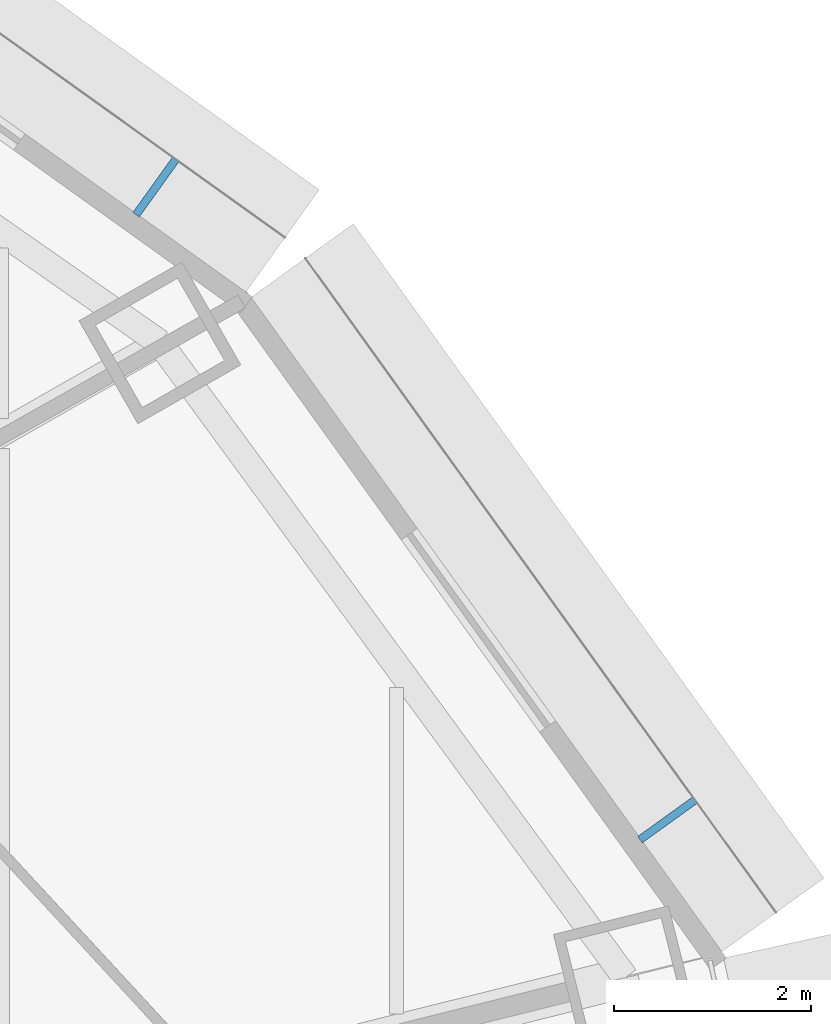
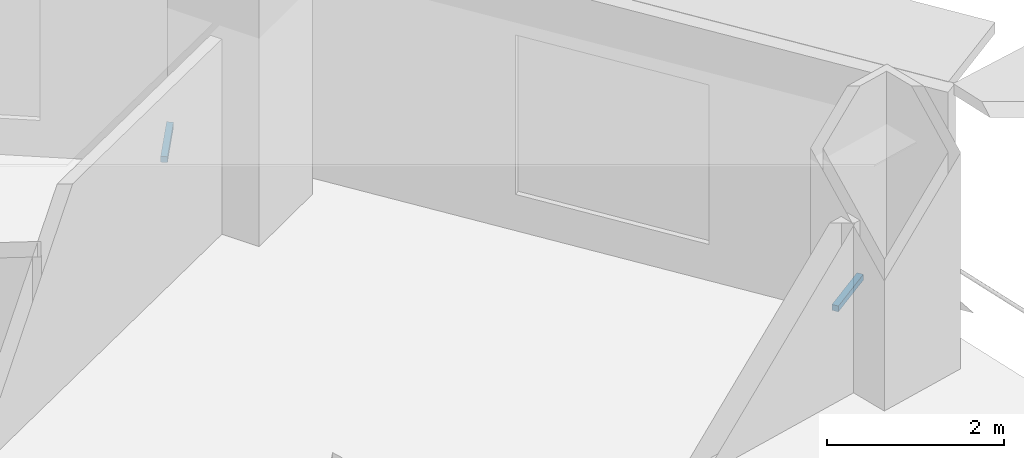
# One storey, part 13 of 17: 2 discrete accessories.
"""IFC4 building model written with IfcOpenShell, lengths in metres."""

import ifcopenshell
import ifcopenshell.guid

model = None  # the IFC model being written
_history = None  # IfcOwnerHistory: only IFC2X3 demands one
_inside = {}  # id of a spatial element -> (the spatial element, [elements in it])
_under = {}  # id of a project, library or spatial element -> (it, [spatial elements below it])
_declared = {}  # id of a project -> (the project, [libraries it declares])
_typed = {}  # id of a type object -> (the type object, [elements of that type])
_made_of = {}  # id of a material, layer set ... -> (it, [elements and type objects made of it])


def new_model(schema):
    """Start an empty IFC model of exactly this schema.

    Asked for "IFC4X3", IfcOpenShell would pick the latest addendum, in which some entities
    have other attributes; the version numbers below select the first issue.
    IFC2X3 requires an IfcOwnerHistory on every rooted entity: one is made here for all.
    """
    global model, _history
    if schema == "IFC4X3":
        model = ifcopenshell.file(schema_version=(4, 3, 0, 0))
    else:
        model = ifcopenshell.file(schema=schema)
    _inside.clear()
    _under.clear()
    _declared.clear()
    _typed.clear()
    _made_of.clear()
    _history = None
    if model.schema == "IFC2X3":
        org = make("IfcOrganization", Name="unknown")
        user = make(
            "IfcPersonAndOrganization",
            ThePerson=make("IfcPerson", FamilyName="unknown"),
            TheOrganization=org,
        )
        app = make(
            "IfcApplication",
            ApplicationDeveloper=org,
            Version="unknown",
            ApplicationFullName="unknown",
            ApplicationIdentifier="unknown",
        )
        _history = make(
            "IfcOwnerHistory",
            OwningUser=user,
            OwningApplication=app,
            ChangeAction="ADDED",
            CreationDate=0,
        )
    return model


def make(cls, **values):
    """One entity of the class cls with the attributes given. An attribute that is None is left unset."""
    return model.create_entity(
        cls, **{name: value for name, value in values.items() if value is not None}
    )


def rooted(cls, **values):
    """An entity with a GlobalId (a new one), such as an element, a storey or a relation."""
    return make(cls, GlobalId=ifcopenshell.guid.new(), OwnerHistory=_history, **values)


def si_unit(unit_type, name, prefix=None):
    """IfcSIUnit, for example si_unit("LENGTHUNIT", "METRE", prefix="MILLI")."""
    return make("IfcSIUnit", UnitType=unit_type, Prefix=prefix, Name=name)


def assignment(units):
    """IfcUnitAssignment: the units of a project."""
    return None if units is None else make("IfcUnitAssignment", Units=units)


def point(xyz):
    """IfcCartesianPoint."""
    return None if xyz is None else make("IfcCartesianPoint", Coordinates=xyz)


def direction(xyz):
    """IfcDirection."""
    return None if xyz is None else make("IfcDirection", DirectionRatios=xyz)


def frame(location, z_axis=None, x_axis=None):
    """IfcAxis2Placement3D, a coordinate frame: its origin and axes. An axis left out is left unset."""
    return make(
        "IfcAxis2Placement3D",
        Location=point(location),
        Axis=direction(z_axis),
        RefDirection=direction(x_axis),
    )


def frame_2d(location, x_axis=None):
    """IfcAxis2Placement2D, a coordinate frame in the plane: its origin and x axis."""
    return make(
        "IfcAxis2Placement2D", Location=point(location), RefDirection=direction(x_axis)
    )


def origin():
    """The frame at (0, 0, 0) with its axes left unset."""
    return frame((0.0, 0.0, 0.0))


def origin_2d():
    """The frame at (0, 0) in the plane with its x axis left unset."""
    return frame_2d((0.0, 0.0))


def place(relative_to, where):
    """IfcLocalPlacement: puts the frame where relative to a parent placement (None: the world)."""
    return make(
        "IfcLocalPlacement", PlacementRelTo=relative_to, RelativePlacement=where
    )


def context(
    kind, dimensions, precision=None, world=None, true_north=None, identifier=None
):
    """IfcGeometricRepresentationContext, for example the 3D "Model" context."""
    return make(
        "IfcGeometricRepresentationContext",
        ContextIdentifier=identifier,
        ContextType=kind,
        CoordinateSpaceDimension=dimensions,
        Precision=precision,
        WorldCoordinateSystem=world,
        TrueNorth=true_north,
    )


def subcontext(parent, identifier, kind, view, scale=None):
    """IfcGeometricRepresentationSubContext, for example "Body" below "Model"."""
    return make(
        "IfcGeometricRepresentationSubContext",
        ContextIdentifier=identifier,
        ContextType=kind,
        ParentContext=parent,
        TargetScale=scale,
        TargetView=view,
    )


def project(units=None, contexts=None):
    """IfcProject with its units and contexts."""
    return rooted(
        "IfcProject",
        Name="project",
        RepresentationContexts=contexts,
        UnitsInContext=assignment(units),
    )


def spatial(cls, under=None, at=None, **own):
    """A site, building, storey or space (cls), placed at a placement, below another one or the project."""
    s = rooted(cls, ObjectPlacement=at, **own)
    if under is not None:
        _under.setdefault(under.id(), (under, []))[1].append(s)
    return s


def profile(cls, at=None, kind="AREA", **sizes):
    """A parametric profile (cls). Its sizes go by their IFC names, for example OverallWidth=200.0."""
    return make(cls, ProfileType=kind, Position=at, **sizes)


def rectangle(**sizes):
    """IfcRectangleProfileDef."""
    return profile("IfcRectangleProfileDef", **sizes)


def extrude(swept, where, along, depth):
    """IfcExtrudedAreaSolid: the profile swept, set in the frame where, extruded along a direction by depth."""
    return make(
        "IfcExtrudedAreaSolid",
        SweptArea=swept,
        Position=where,
        ExtrudedDirection=direction(along),
        Depth=depth,
    )


def shape(context_of_items, identifier, shape_type, items):
    """IfcShapeRepresentation: the items that make up one representation, for example the "Body"."""
    return make(
        "IfcShapeRepresentation",
        ContextOfItems=context_of_items,
        RepresentationIdentifier=identifier,
        RepresentationType=shape_type,
        Items=items,
    )


def made_of(thing, what):
    """Note that an element or type object is made of a material, layer set ...; save() writes the relation."""
    if what is not None:
        _made_of.setdefault(what.id(), (what, []))[1].append(thing)
    return thing


def element(
    cls,
    number,
    at=None,
    inside=None,
    cuts=None,
    type_object=None,
    material=None,
    context=None,
    identifier="Body",
    shape_type=None,
    held_by="IfcProductDefinitionShape",
    body=None,
    shapes=None,
    **own,
):
    """One element of the class cls, such as IfcWall. Its Tag is "e" and its number.

    at: its placement. inside: the storey or other place that contains it. cuts: it is an
    opening in that element (IfcRelVoidsElement). A single representation is given by context,
    identifier, shape_type and body (its items); several are given by shapes. held_by: the class
    of the entity that holds the representations. save() writes the other relations.
    """
    e = rooted(cls, Tag="e%d" % number, ObjectPlacement=at, **own)
    if body is not None:
        shapes = [shape(context, identifier, shape_type, body)]
    if shapes is not None:
        e.Representation = make(held_by, Representations=shapes)
    if inside is not None:
        _inside.setdefault(inside.id(), (inside, []))[1].append(e)
    if cuts is not None:
        rooted(
            "IfcRelVoidsElement", RelatingBuildingElement=cuts, RelatedOpeningElement=e
        )
    if type_object is not None:
        _typed.setdefault(type_object.id(), (type_object, []))[1].append(e)
    return made_of(e, material)


def aggregate(whole, parts):
    """IfcRelAggregates: a whole, such as a stair, and the parts it consists of."""
    return rooted("IfcRelAggregates", RelatingObject=whole, RelatedObjects=parts)


def save(model, path):
    """Write the relations noted so far, then the file.

    IfcRelAggregates (storeys below a building ...), IfcRelContainedInSpatialStructure (elements
    in a storey), IfcRelDefinesByType, IfcRelAssociatesMaterial and IfcRelDeclares: one each for
    every whole, place, type object, material and project.
    """
    for whole, parts in _under.values():
        aggregate(whole, parts)
    for where, things in _inside.values():
        rooted(
            "IfcRelContainedInSpatialStructure",
            RelatedElements=things,
            RelatingStructure=where,
        )
    for kind, things in _typed.values():
        rooted("IfcRelDefinesByType", RelatedObjects=things, RelatingType=kind)
    for what, things in _made_of.values():
        rooted("IfcRelAssociatesMaterial", RelatedObjects=things, RelatingMaterial=what)
    for by, libraries in _declared.values():
        rooted("IfcRelDeclares", RelatingContext=by, RelatedDefinitions=libraries)
    model.write(path)


model = new_model("IFC4")

# Units and contexts
model_context = context("Model", 3, precision=1e-05, world=origin(), true_north=direction((0.0, 1.0)))
body_context = subcontext(model_context, "Body", "Model", "MODEL_VIEW")
ifc_project = project(units=[si_unit("LENGTHUNIT", "METRE"), si_unit("AREAUNIT", "SQUARE_METRE"), si_unit("VOLUMEUNIT", "CUBIC_METRE"), si_unit("PLANEANGLEUNIT", "RADIAN"), si_unit("MASSUNIT", "GRAM", prefix="KILO")], contexts=[model_context])

# Site, building, storey
site_placement = place(None, origin())
site = spatial("IfcSite", under=ifc_project, at=site_placement, CompositionType="ELEMENT")
building_placement = place(site_placement, origin())
building = spatial("IfcBuilding", under=site, at=building_placement, Name="Lantaw Convention Tower", CompositionType="ELEMENT")
storey_placement = place(building_placement, frame((0.0, 0.0, 69.39990234375)))
storey = spatial("IfcBuildingStorey", under=building, at=storey_placement, Name="L15", CompositionType="ELEMENT", Elevation=69.39990234375)

# Discrete accessories
for number, where, z_axis, x_axis, name in (
    (1, (28.745849609375, 8.65869140625, -0.114990234375), (0.0, 0.0, 1.0), (-0.583951250436, 0.811788726895, 0.0), "Screen bracket"),
    (2, (23.564453125, 15.06640625, -0.114990234375), (0.0, 0.0, 1.0), (-0.812803733199, 0.5825376308, 0.0), "Screen bracket"),
):
    element("IfcDiscreteAccessory", number, at=place(storey_placement, frame(where, z_axis=z_axis, x_axis=x_axis)), inside=storey, Name=name, PredefinedType="BRACKET", context=body_context, shape_type="SweptSolid", body=[
        extrude(rectangle(XDim=0.080078125, YDim=0.68798828125, at=origin_2d()), origin(), (0.0, 0.0, 1.0), 0.080078125),
    ])

save(model, "model.ifc")
